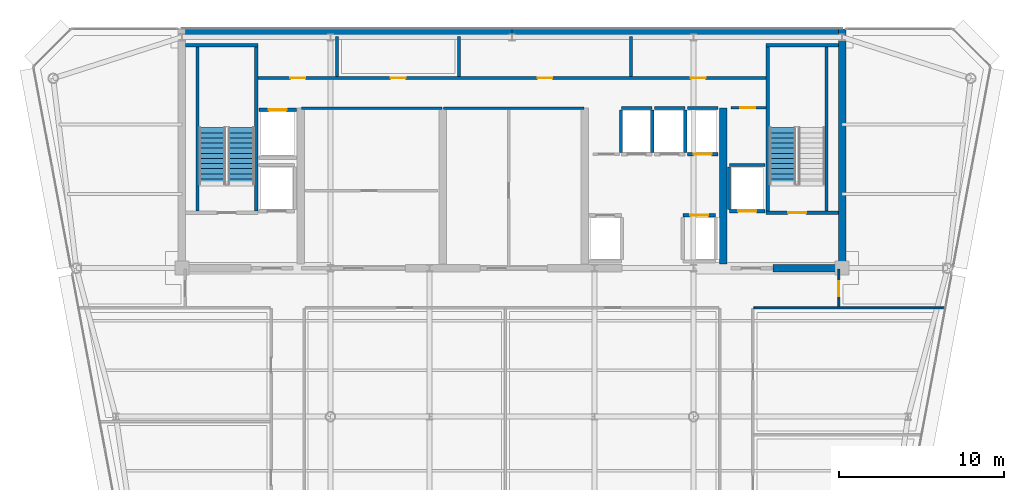
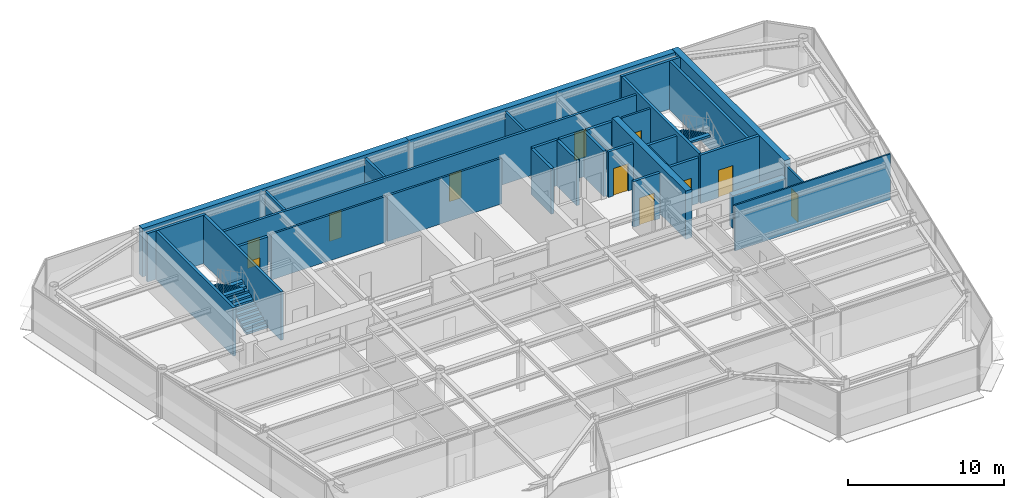
# One storey, part 12 of 20: 33 walls, 11 doors, 3 stair flights, 11 openings, 2 elements without a shape of their own.
"""IFC4 building model written with IfcOpenShell, lengths in metres."""

from ifc_helpers import new_model, si_unit, direction, frame, frame_2d, origin, place, context, subcontext, project, spatial, polyline, rectangle, outline, extrude, source, transform, mapped, material, layer, layer_set, type_object, element, fill, aggregate, save


model = new_model("IFC4")

# Units and contexts
model_context = context("Model", 3, precision=1e-05, world=origin(), true_north=direction((0.0, 1.0)))
body_context = subcontext(model_context, "Body", "Model", "MODEL_VIEW")
ifc_project = project(units=[si_unit("LENGTHUNIT", "METRE"), si_unit("AREAUNIT", "SQUARE_METRE"), si_unit("VOLUMEUNIT", "CUBIC_METRE"), si_unit("PLANEANGLEUNIT", "RADIAN"), si_unit("MASSUNIT", "GRAM", prefix="KILO")], contexts=[model_context])

# Site, building, storey
site_placement = place(None, origin())
site = spatial("IfcSite", under=ifc_project, at=site_placement, CompositionType="ELEMENT")
building_placement = place(site_placement, origin())
building = spatial("IfcBuilding", under=site, at=building_placement, Name="Vaeldorn Concourse Tower", CompositionType="ELEMENT")
storey_placement = place(building_placement, frame((0.0, 0.0, 284.0)))
storey = spatial("IfcBuildingStorey", under=building, at=storey_placement, Name="L73", CompositionType="ELEMENT", Elevation=284.0)

# Walls
ifc_material_1 = material(Name="Concrete C50/60", Category="concrete")
ifc_layer_1 = layer(ifc_material_1, 0.449951171875)
ifc_layer_set_1 = layer_set([ifc_layer_1], Name="Concrete C50/60")
wall_type_1 = type_object("IfcWallType", Name="WL-CORE-450", PredefinedType="SHEAR", material=ifc_layer_set_1)
for number, where, z_axis, x_axis, name in (
    (1, (14.22900390625, 50.77490234375, 0.0), (0.0, 0.0, 1.0), (1.0, 0.0, 0.0), "Rear Core Shear Wall L73 N1"),
    (2, (34.001953125, 50.77490234375, 0.0), (0.0, 0.0, 1.0), (1.0, 0.0, 0.0), "Rear Core Shear Wall L73 N2"),
):
    element("IfcWall", number, at=place(storey_placement, frame(where, z_axis=z_axis, x_axis=x_axis)), inside=storey, type_object=wall_type_1, Name=name, PredefinedType="SHEAR", context=body_context, shape_type="SweptSolid", body=[
        extrude(rectangle(XDim=19.76904296875, YDim=0.449951171875, at=frame_2d((9.884521484375, 0.0))), origin(), (0.0, 0.0, 1.0), 3.800048828125),
    ])
wall_1_placement = place(storey_placement, frame((54.0, 36.5, 0.0), z_axis=(0.0, 0.0, 1.0), x_axis=(0.0, 1.0, 0.0)))
element("IfcWall", 3, at=wall_1_placement, inside=storey, type_object=wall_type_1, Name="Rear Core Shear Wall L73 E1", PredefinedType="SHEAR", context=body_context, shape_type="SweptSolid", body=[
    extrude(rectangle(XDim=14.5, YDim=0.449951171875, at=frame_2d((7.25, 0.0))), origin(), (0.0, 0.0, 1.0), 3.800048828125),
])
wall_2_placement = place(storey_placement, frame((49.800048828125, 36.5, 0.0), z_axis=(0.0, 0.0, 1.0), x_axis=(1.0, 0.0, 0.0)))
element("IfcWall", 4, at=wall_2_placement, inside=storey, type_object=wall_type_1, Name="Rear Core Shear Wall L73 S4", PredefinedType="SHEAR", context=body_context, shape_type="SweptSolid", body=[
    extrude(rectangle(XDim=3.954833984375, YDim=0.449951171875, at=frame_2d((1.9775390625, 0.0))), origin(), (0.0, 0.0, 1.0), 2.580078125),
])
wall_3_placement = place(storey_placement, frame((46.800048828125, 36.7451171875, 0.0), z_axis=(0.0, 0.0, 1.0), x_axis=(0.0, 1.0, 0.0)))
element("IfcWall", 5, at=wall_3_placement, inside=storey, type_object=wall_type_1, Name="Rear Core Shear Wall L73 M4", PredefinedType="SHEAR", context=body_context, shape_type="SweptSolid", body=[
    extrude(rectangle(XDim=9.454833984375, YDim=0.449951171875, at=frame_2d((4.7275390625, 0.0))), origin(), (0.0, 0.0, 1.0), 3.800048828125),
])
ifc_material_2 = material(Name="Gypsum Board Partition", Category="gypsum")
ifc_layer_2 = layer(ifc_material_2, 0.1201171875)
ifc_layer_set_2 = layer_set([ifc_layer_2], Name="Gypsum Board Partition")
wall_type_2 = type_object("IfcWallType", Name="WL-PART-120", PredefinedType="PARTITIONING", material=ifc_layer_set_2)
wall_4_placement = place(storey_placement, frame((48.659912109375, 34.10009765625, 0.0), z_axis=(0.0, 0.0, 1.0), x_axis=(1.0, 0.0, 0.0)))
element("IfcWall", 6, at=wall_4_placement, inside=storey, type_object=wall_type_2, Name="Interior Wall PW-L73-CEWE", PredefinedType="PARTITIONING", context=body_context, shape_type="SweptSolid", body=[
    extrude(rectangle(XDim=11.563232421875, YDim=0.1201171875, at=frame_2d((5.78173828125, 0.0))), origin(), (0.0, 0.0, 1.0), 3.580078125),
])

# Wall, opening, door
wall_5_placement = place(storey_placement, frame((53.800048828125, 34.159912109375, 0.0), z_axis=(0.0, 0.0, 1.0), x_axis=(0.0, 1.0, 0.0)))
wall_5 = element("IfcWall", 7, at=wall_5_placement, inside=storey, type_object=wall_type_2, Name="Interior Wall PW-L73-CEET", PredefinedType="PARTITIONING", context=body_context, shape_type="SweptSolid", body=[
    extrude(rectangle(XDim=2.280029296875, YDim=0.1201171875, at=frame_2d((1.14013671875, 0.0))), origin(), (0.0, 0.0, 1.0), 3.580078125),
])
opening_1_placement = place(wall_5_placement, frame((0.64990234375, 0.0, 0.0)))
opening_1 = element("IfcOpeningElement", 8, at=opening_1_placement, cuts=wall_5, Name="Opening D-03", PredefinedType="OPENING", context=body_context, shape_type="SweptSolid", body=[
    extrude(rectangle(XDim=0.89990234375, YDim=2.14990234375, at=frame_2d((0.449951171875, 1.074951171875))), frame((0.0, 0.070068359375, 0.0), z_axis=(0.0, -1.0, 0.0), x_axis=(1.0, 0.0, 0.0)), (0.0, 0.0, 1.0), 0.14013671875),
])
ifc_material_3 = material(Name="Acoustic Bronze-Framed Glass Door", Category="glass")
door_type_1 = type_object("IfcDoorType", Name="DR-INT-900", OperationType="NOTDEFINED", PredefinedType="DOOR", material=ifc_material_3)
shared_shape_1 = source(origin(), body_context, "Body", "SweptSolid", [
    extrude(rectangle(XDim=0.89990234375, YDim=2.14990234375, at=frame_2d((0.449951171875, 1.074951171875))), frame((0.0, 0.02490234375, 0.0), z_axis=(0.0, -1.0, 0.0), x_axis=(1.0, 0.0, 0.0)), (0.0, 0.0, 1.0), 0.050048828125),
])
door_1_placement = place(opening_1_placement, origin())
door_1 = element("IfcDoor", 9, at=door_1_placement, inside=storey, type_object=door_type_1, Name="Interior Door DR-L73-NE1", OperationType="SINGLE_SWING_RIGHT", OverallHeight=2.14990234375, OverallWidth=0.89990234375, PredefinedType="DOOR", context=body_context, shape_type="MappedRepresentation", body=[
    mapped(shared_shape_1, transform((0.0, 0.0, 0.0), scale=1.0)),
])
fill(opening_1, door_1)

# Walls
ifc_layer_3 = layer(ifc_material_2, 0.14990234375)
ifc_layer_set_3 = layer_set([ifc_layer_3], Name="Gypsum Board Partition")
wall_type_3 = type_object("IfcWallType", Name="WL-PART-150", PredefinedType="PARTITIONING", material=ifc_layer_set_3)
for number, where, z_axis, x_axis, name in (
    (10, (21.25, 46.199951171875, 0.0), (0.0, 0.0, 1.0), (1.0, 0.0, 0.0), "Interior Wall CW-L73-R1N"),
    (11, (29.85009765625, 46.199951171875, 0.0), (0.0, 0.0, 1.0), (1.0, 0.0, 0.0), "Interior Wall CW-L73-R2N"),
):
    element("IfcWall", number, at=place(storey_placement, frame(where, z_axis=z_axis, x_axis=x_axis)), inside=storey, type_object=wall_type_3, Name=name, PredefinedType="PARTITIONING", context=body_context, shape_type="SweptSolid", body=[
        extrude(rectangle(XDim=8.5, YDim=0.14990234375, at=frame_2d((4.25, 0.0))), origin(), (0.0, 0.0, 1.0), 3.580078125),
    ])

# Wall, opening, door
wall_6_placement = place(storey_placement, frame((47.280029296875, 46.219970703125, 0.0), z_axis=(0.0, 0.0, 1.0), x_axis=(1.0, 0.0, 0.0)))
wall_6 = element("IfcWall", 12, at=wall_6_placement, inside=storey, type_object=wall_type_3, Name="Interior Wall CW-L73-CRSE-N", PredefinedType="PARTITIONING", context=body_context, shape_type="SweptSolid", body=[
    extrude(rectangle(XDim=2.099853515625, YDim=0.14990234375, at=frame_2d((1.0498046875, 0.0))), origin(), (0.0, 0.0, 1.0), 3.580078125),
])
opening_2_placement = place(wall_6_placement, frame((0.550048828125, 0.0, 0.0)))
opening_2 = element("IfcOpeningElement", 13, at=opening_2_placement, cuts=wall_6, Name="Opening D-02", PredefinedType="OPENING", context=body_context, shape_type="SweptSolid", body=[
    extrude(rectangle(XDim=0.89990234375, YDim=2.10009765625, at=frame_2d((0.449951171875, 1.050048828125))), frame((0.0, 0.0849609375, 0.0), z_axis=(0.0, -1.0, 0.0), x_axis=(1.0, 0.0, 0.0)), (0.0, 0.0, 1.0), 0.169921875),
])
ifc_material_4 = material(Name="Fire-Rated Timber Leaf", Category="wood")
door_type_2 = type_object("IfcDoorType", Name="DR-FD30-900", OperationType="NOTDEFINED", PredefinedType="DOOR", material=ifc_material_4)
shared_shape_2 = source(origin(), body_context, "Body", "SweptSolid", [
    extrude(rectangle(XDim=0.89990234375, YDim=2.10009765625, at=frame_2d((0.449951171875, 1.050048828125))), frame((0.0, 0.02490234375, 0.0), z_axis=(0.0, -1.0, 0.0), x_axis=(1.0, 0.0, 0.0)), (0.0, 0.0, 1.0), 0.050048828125),
])
door_2_placement = place(opening_2_placement, origin())
door_2 = element("IfcDoor", 14, at=door_2_placement, inside=storey, type_object=door_type_2, Name="Interior Door DR-L73-CRSE", OperationType="SINGLE_SWING_RIGHT", OverallHeight=2.10009765625, OverallWidth=0.89990234375, PredefinedType="DOOR", context=body_context, shape_type="MappedRepresentation", body=[
    mapped(shared_shape_2, transform((0.0, 0.0, 0.0), scale=1.0)),
])
fill(opening_2, door_2)

# Wall, openings, doors
ifc_layer_4 = layer(ifc_material_2, 0.179931640625)
ifc_layer_set_4 = layer_set([ifc_layer_4], Name="Gypsum Board Partition")
wall_type_4 = type_object("IfcWallType", Name="WL-PLUMB-180", PredefinedType="PLUMBINGWALL", material=ifc_layer_set_4)
wall_7_placement = place(storey_placement, frame((18.6201171875, 48.02001953125, 0.0), z_axis=(0.0, 0.0, 1.0), x_axis=(1.0, 0.0, 0.0)))
wall_7 = element("IfcWall", 15, at=wall_7_placement, inside=storey, type_object=wall_type_4, Name="Interior Wall CW-L73-NS0", PredefinedType="PLUMBINGWALL", context=body_context, shape_type="SweptSolid", body=[
    extrude(rectangle(XDim=30.759765625, YDim=0.179931640625, at=frame_2d((15.3798828125, 0.0))), origin(), (0.0, 0.0, 1.0), 3.580078125),
])
opening_3_placement = place(wall_7_placement, frame((1.955078125, 0.0, 0.0)))
opening_3 = element("IfcOpeningElement", 16, at=opening_3_placement, cuts=wall_7, Name="Opening D-03", PredefinedType="OPENING", context=body_context, shape_type="SweptSolid", body=[
    extrude(rectangle(XDim=0.89990234375, YDim=2.14990234375, at=frame_2d((0.449951171875, 1.074951171875))), frame((0.0, 0.10009765625, 0.0), z_axis=(0.0, -1.0, 0.0), x_axis=(1.0, 0.0, 0.0)), (0.0, 0.0, 1.0), 0.199951171875),
])
opening_4_placement = place(wall_7_placement, frame((8.030029296875, 0.0, 0.0)))
opening_4 = element("IfcOpeningElement", 17, at=opening_4_placement, cuts=wall_7, Name="Opening D-03", PredefinedType="OPENING", context=body_context, shape_type="SweptSolid", body=[
    extrude(rectangle(XDim=0.89990234375, YDim=2.14990234375, at=frame_2d((0.449951171875, 1.074951171875))), frame((0.0, 0.10009765625, 0.0), z_axis=(0.0, -1.0, 0.0), x_axis=(1.0, 0.0, 0.0)), (0.0, 0.0, 1.0), 0.199951171875),
])
opening_5_placement = place(wall_7_placement, frame((16.929931640625, 0.0, 0.0)))
opening_5 = element("IfcOpeningElement", 18, at=opening_5_placement, cuts=wall_7, Name="Opening D-03", PredefinedType="OPENING", context=body_context, shape_type="SweptSolid", body=[
    extrude(rectangle(XDim=0.89990234375, YDim=2.14990234375, at=frame_2d((0.449951171875, 1.074951171875))), frame((0.0, 0.10009765625, 0.0), z_axis=(0.0, -1.0, 0.0), x_axis=(1.0, 0.0, 0.0)), (0.0, 0.0, 1.0), 0.199951171875),
])
opening_6_placement = place(wall_7_placement, frame((26.205078125, 0.0, 0.0)))
opening_6 = element("IfcOpeningElement", 19, at=opening_6_placement, cuts=wall_7, Name="Opening D-03", PredefinedType="OPENING", context=body_context, shape_type="SweptSolid", body=[
    extrude(rectangle(XDim=0.89990234375, YDim=2.14990234375, at=frame_2d((0.449951171875, 1.074951171875))), frame((0.0, 0.10009765625, 0.0), z_axis=(0.0, -1.0, 0.0), x_axis=(1.0, 0.0, 0.0)), (0.0, 0.0, 1.0), 0.199951171875),
])
door_3_placement = place(opening_3_placement, origin())
door_3 = element("IfcDoor", 20, at=door_3_placement, inside=storey, type_object=door_type_1, Name="Interior Door DR-L73-CS1", OperationType="SINGLE_SWING_LEFT", OverallHeight=2.14990234375, OverallWidth=0.89990234375, PredefinedType="DOOR", context=body_context, shape_type="MappedRepresentation", body=[
    mapped(shared_shape_1, transform((0.0, 0.0, 0.0), scale=1.0)),
])
fill(opening_3, door_3)
door_4_placement = place(opening_4_placement, origin())
door_4 = element("IfcDoor", 21, at=door_4_placement, inside=storey, type_object=door_type_1, Name="Interior Door DR-L73-CS2", OperationType="SINGLE_SWING_RIGHT", OverallHeight=2.14990234375, OverallWidth=0.89990234375, PredefinedType="DOOR", context=body_context, shape_type="MappedRepresentation", body=[
    mapped(shared_shape_1, transform((0.0, 0.0, 0.0), scale=1.0)),
])
fill(opening_4, door_4)
door_5_placement = place(opening_5_placement, origin())
door_5 = element("IfcDoor", 22, at=door_5_placement, inside=storey, type_object=door_type_1, Name="Interior Door DR-L73-CS3", OperationType="SINGLE_SWING_LEFT", OverallHeight=2.14990234375, OverallWidth=0.89990234375, PredefinedType="DOOR", context=body_context, shape_type="MappedRepresentation", body=[
    mapped(shared_shape_1, transform((0.0, 0.0, 0.0), scale=1.0)),
])
fill(opening_5, door_5)
door_6_placement = place(opening_6_placement, origin())
door_6 = element("IfcDoor", 23, at=door_6_placement, inside=storey, type_object=door_type_1, Name="Interior Door DR-L73-CS4", OperationType="SINGLE_SWING_RIGHT", OverallHeight=2.14990234375, OverallWidth=0.89990234375, PredefinedType="DOOR", context=body_context, shape_type="MappedRepresentation", body=[
    mapped(shared_shape_1, transform((0.0, 0.0, 0.0), scale=1.0)),
])
fill(opening_6, door_6)

# Walls
for number, where, z_axis, x_axis, name in (
    (24, (23.39990234375, 48.10009765625, 0.0), (0.0, 0.0, 1.0), (0.0, 1.0, 0.0), "Interior Wall CW-L73-NDIV1"),
    (25, (30.800048828125, 48.10009765625, 0.0), (0.0, 0.0, 1.0), (0.0, 1.0, 0.0), "Interior Wall CW-L73-NDIV2"),
    (26, (41.199951171875, 48.10009765625, 0.0), (0.0, 0.0, 1.0), (0.0, 1.0, 0.0), "Interior Wall CW-L73-NDIV3"),
):
    element("IfcWall", number, at=place(storey_placement, frame(where, z_axis=z_axis, x_axis=x_axis)), inside=storey, type_object=wall_type_4, Name=name, PredefinedType="PLUMBINGWALL", context=body_context, shape_type="SweptSolid", body=[
        extrude(rectangle(XDim=2.429931640625, YDim=0.179931640625, at=frame_2d((1.21484375, 0.0))), origin(), (0.0, 0.0, 1.0), 3.580078125),
    ])
ifc_layer_5 = layer(ifc_material_1, 0.199951171875)
ifc_layer_set_5 = layer_set([ifc_layer_5], Name="Concrete C50/60")
wall_type_5 = type_object("IfcWallType", Name="WL-SHAFT-200", PredefinedType="SOLIDWALL", material=ifc_layer_set_5)
wall_8_placement = place(storey_placement, frame((14.22509765625, 50.0, 0.0), z_axis=(0.0, 0.0, 1.0), x_axis=(1.0, 0.0, 0.0)))
element("IfcWall", 27, at=wall_8_placement, inside=storey, type_object=wall_type_5, Name="Stair Shaft Wall CW-L73-ST-1-N", PredefinedType="SOLIDWALL", context=body_context, shape_type="SweptSolid", body=[
    extrude(rectangle(XDim=4.375, YDim=0.199951171875, at=frame_2d((2.1875, 0.0))), origin(), (0.0, 0.0, 1.0), 3.800048828125),
])
for number, where, z_axis, x_axis, name in (
    (28, (14.949951171875, 39.9599609375, 0.0), (0.0, 0.0, 1.0), (0.0, 1.0, 0.0), "Stair Shaft Wall CW-L73-ST-1-W"),
    (29, (18.5, 39.9599609375, 0.0), (0.0, 0.0, 1.0), (0.0, 1.0, 0.0), "Stair Shaft Wall CW-L73-ST-1-E"),
):
    element("IfcWall", number, at=place(storey_placement, frame(where, z_axis=z_axis, x_axis=x_axis)), inside=storey, type_object=wall_type_5, Name=name, PredefinedType="SOLIDWALL", context=body_context, shape_type="SweptSolid", body=[
        extrude(rectangle(XDim=9.929931640625, YDim=0.199951171875, at=frame_2d((4.96484375, 0.0))), origin(), (0.0, 0.0, 1.0), 3.800048828125),
    ])

# Wall, opening, door
wall_9_placement = place(storey_placement, frame((49.39990234375, 39.85009765625, 0.0), z_axis=(0.0, 0.0, 1.0), x_axis=(1.0, 0.0, 0.0)))
wall_9 = element("IfcWall", 30, at=wall_9_placement, inside=storey, type_object=wall_type_5, Name="Stair Shaft Wall CW-L73-ST-2-S", PredefinedType="SOLIDWALL", context=body_context, shape_type="SweptSolid", body=[
    extrude(rectangle(XDim=4.375, YDim=0.199951171875, at=frame_2d((2.1875, 0.0))), origin(), (0.0, 0.0, 1.0), 3.800048828125),
])
opening_7_placement = place(wall_9_placement, frame((1.324951171875, 0.0, 0.0)))
opening_7 = element("IfcOpeningElement", 31, at=opening_7_placement, cuts=wall_9, Name="Opening D-01", PredefinedType="OPENING", context=body_context, shape_type="SweptSolid", body=[
    extrude(rectangle(XDim=1.10009765625, YDim=2.14990234375, at=frame_2d((0.550048828125, 1.074951171875))), frame((0.0, 0.10986328125, 0.0), z_axis=(0.0, -1.0, 0.0), x_axis=(1.0, 0.0, 0.0)), (0.0, 0.0, 1.0), 0.219970703125),
])
ifc_material_5 = material(Name="Fire-Rated Timber and Steel Leaf", Category="steel")
door_type_3 = type_object("IfcDoorType", Name="DR-FD60-1100", OperationType="NOTDEFINED", PredefinedType="DOOR", material=ifc_material_5)
shared_shape_3 = source(origin(), body_context, "Body", "SweptSolid", [
    extrude(rectangle(XDim=1.10009765625, YDim=2.14990234375, at=frame_2d((0.550048828125, 1.074951171875))), frame((0.0, 0.02490234375, 0.0), z_axis=(0.0, -1.0, 0.0), x_axis=(1.0, 0.0, 0.0)), (0.0, 0.0, 1.0), 0.050048828125),
])
door_7_placement = place(opening_7_placement, origin())
door_7 = element("IfcDoor", 32, at=door_7_placement, inside=storey, type_object=door_type_3, Name="Interior Door DR-L73-ST-2", OperationType="SINGLE_SWING_RIGHT", OverallHeight=2.14990234375, OverallWidth=1.10009765625, PredefinedType="DOOR", context=body_context, shape_type="MappedRepresentation", body=[
    mapped(shared_shape_3, transform((0.0, 0.0, 0.0), scale=1.0)),
])
fill(opening_7, door_7)

# Walls
wall_10_placement = place(storey_placement, frame((49.39990234375, 50.0, 0.0), z_axis=(0.0, 0.0, 1.0), x_axis=(1.0, 0.0, 0.0)))
element("IfcWall", 33, at=wall_10_placement, inside=storey, type_object=wall_type_5, Name="Stair Shaft Wall CW-L73-ST-2-N", PredefinedType="SOLIDWALL", context=body_context, shape_type="SweptSolid", body=[
    extrude(rectangle(XDim=4.375, YDim=0.199951171875, at=frame_2d((2.1875, 0.0))), origin(), (0.0, 0.0, 1.0), 3.800048828125),
])
for number, where, z_axis, x_axis, name in (
    (34, (49.5, 39.9599609375, 0.0), (0.0, 0.0, 1.0), (0.0, 1.0, 0.0), "Stair Shaft Wall CW-L73-ST-2-W"),
    (35, (53.050048828125, 39.9599609375, 0.0), (0.0, 0.0, 1.0), (0.0, 1.0, 0.0), "Stair Shaft Wall CW-L73-ST-2-E"),
):
    element("IfcWall", number, at=place(storey_placement, frame(where, z_axis=z_axis, x_axis=x_axis)), inside=storey, type_object=wall_type_5, Name=name, PredefinedType="SOLIDWALL", context=body_context, shape_type="SweptSolid", body=[
        extrude(rectangle(XDim=9.929931640625, YDim=0.199951171875, at=frame_2d((4.96484375, 0.0))), origin(), (0.0, 0.0, 1.0), 3.800048828125),
    ])

# Wall, opening, door
wall_11_placement = place(storey_placement, frame((44.3701171875, 39.699951171875, 0.0), z_axis=(0.0, 0.0, 1.0), x_axis=(1.0, 0.0, 0.0)))
wall_11 = element("IfcWall", 36, at=wall_11_placement, inside=storey, type_object=wall_type_5, Name="Interior Wall CW-L73-LF-LF-14", PredefinedType="SOLIDWALL", context=body_context, shape_type="SweptSolid", body=[
    extrude(rectangle(XDim=1.9599609375, YDim=0.199951171875, at=frame_2d((0.97998046875, 0.0))), origin(), (0.0, 0.0, 1.0), 3.580078125),
])
opening_8_placement = place(wall_11_placement, frame((0.429931640625, 0.0, 0.0)))
opening_8 = element("IfcOpeningElement", 37, at=opening_8_placement, cuts=wall_11, Name="Opening LD-1", PredefinedType="OPENING", context=body_context, shape_type="SweptSolid", body=[
    extrude(rectangle(XDim=1.10009765625, YDim=2.14990234375, at=frame_2d((0.550048828125, 1.074951171875))), frame((0.0, 0.10986328125, 0.0), z_axis=(0.0, -1.0, 0.0), x_axis=(1.0, 0.0, 0.0)), (0.0, 0.0, 1.0), 0.219970703125),
])
ifc_material_6 = material(Name="Anodised Bronze Aluminium", Category="aluminium")
door_type_4 = type_object("IfcDoorType", Name="DR-LIFT-SLIDE-1100", OperationType="DOUBLE_DOOR_SLIDING", PredefinedType="DOOR", material=ifc_material_6)
door_8_placement = place(opening_8_placement, origin())
door_8 = element("IfcDoor", 38, at=door_8_placement, inside=storey, type_object=door_type_4, Name="Lift Landing Door LD-L73-LF-14", OperationType="DOUBLE_DOOR_SLIDING", OverallHeight=2.14990234375, OverallWidth=1.10009765625, PredefinedType="DOOR", context=body_context, shape_type="MappedRepresentation", body=[
    mapped(shared_shape_3, transform((0.0, 0.0, 0.0), scale=1.0)),
])
fill(opening_8, door_8)

# Walls
wall_12_placement = place(storey_placement, frame((40.6201171875, 46.199951171875, 0.0), z_axis=(0.0, 0.0, 1.0), x_axis=(1.0, 0.0, 0.0)))
element("IfcWall", 39, at=wall_12_placement, inside=storey, type_object=wall_type_5, Name="Interior Wall CW-L73-LFB-LF-15", PredefinedType="SOLIDWALL", context=body_context, shape_type="SweptSolid", body=[
    extrude(rectangle(XDim=1.85986328125, YDim=0.199951171875, at=frame_2d((0.929931640625, 0.0))), origin(), (0.0, 0.0, 1.0), 3.580078125),
])
for number, where, z_axis, x_axis, name in (
    (40, (40.60009765625, 43.52001953125, 0.0), (0.0, 0.0, 1.0), (0.0, 1.0, 0.0), "Interior Wall CW-L73-LFW-LF-15"),
    (41, (42.5, 43.52001953125, 0.0), (0.0, 0.0, 1.0), (0.0, 1.0, 0.0), "Interior Wall CW-L73-LFE-LF-15"),
):
    element("IfcWall", number, at=place(storey_placement, frame(where, z_axis=z_axis, x_axis=x_axis)), inside=storey, type_object=wall_type_5, Name=name, PredefinedType="SOLIDWALL", context=body_context, shape_type="SweptSolid", body=[
        extrude(rectangle(XDim=2.56005859375, YDim=0.199951171875, at=frame_2d((1.280029296875, 0.0))), origin(), (0.0, 0.0, 1.0), 3.580078125),
    ])
wall_13_placement = place(storey_placement, frame((42.6201171875, 46.199951171875, 0.0), z_axis=(0.0, 0.0, 1.0), x_axis=(1.0, 0.0, 0.0)))
element("IfcWall", 42, at=wall_13_placement, inside=storey, type_object=wall_type_5, Name="Interior Wall CW-L73-LFB-LF-16", PredefinedType="SOLIDWALL", context=body_context, shape_type="SweptSolid", body=[
    extrude(rectangle(XDim=1.85986328125, YDim=0.199951171875, at=frame_2d((0.929931640625, 0.0))), origin(), (0.0, 0.0, 1.0), 3.580078125),
])
wall_14_placement = place(storey_placement, frame((44.5, 43.52001953125, 0.0), z_axis=(0.0, 0.0, 1.0), x_axis=(0.0, 1.0, 0.0)))
element("IfcWall", 43, at=wall_14_placement, inside=storey, type_object=wall_type_5, Name="Interior Wall CW-L73-LFE-LF-16", PredefinedType="SOLIDWALL", context=body_context, shape_type="SweptSolid", body=[
    extrude(rectangle(XDim=2.56005859375, YDim=0.199951171875, at=frame_2d((1.280029296875, 0.0))), origin(), (0.0, 0.0, 1.0), 3.580078125),
])

# Wall, opening, door
wall_15_placement = place(storey_placement, frame((44.6201171875, 43.39990234375, 0.0), z_axis=(0.0, 0.0, 1.0), x_axis=(1.0, 0.0, 0.0)))
wall_15 = element("IfcWall", 44, at=wall_15_placement, inside=storey, type_object=wall_type_5, Name="Interior Wall CW-L73-LF-LF-17", PredefinedType="SOLIDWALL", context=body_context, shape_type="SweptSolid", body=[
    extrude(rectangle(XDim=1.85986328125, YDim=0.199951171875, at=frame_2d((0.929931640625, 0.0))), origin(), (0.0, 0.0, 1.0), 3.580078125),
])
opening_9_placement = place(wall_15_placement, frame((0.3798828125, 0.0, 0.0)))
opening_9 = element("IfcOpeningElement", 45, at=opening_9_placement, cuts=wall_15, Name="Opening LD-1", PredefinedType="OPENING", context=body_context, shape_type="SweptSolid", body=[
    extrude(rectangle(XDim=1.10009765625, YDim=2.14990234375, at=frame_2d((0.550048828125, 1.074951171875))), frame((0.0, 0.10986328125, 0.0), z_axis=(0.0, -1.0, 0.0), x_axis=(1.0, 0.0, 0.0)), (0.0, 0.0, 1.0), 0.219970703125),
])
door_9_placement = place(opening_9_placement, origin())
door_9 = element("IfcDoor", 46, at=door_9_placement, inside=storey, type_object=door_type_4, Name="Lift Landing Door LD-L73-LF-17", OperationType="DOUBLE_DOOR_SLIDING", OverallHeight=2.14990234375, OverallWidth=1.10009765625, PredefinedType="DOOR", context=body_context, shape_type="MappedRepresentation", body=[
    mapped(shared_shape_3, transform((0.0, 0.0, 0.0), scale=1.0)),
])
fill(opening_9, door_9)

# Wall
wall_16_placement = place(storey_placement, frame((44.6201171875, 46.199951171875, 0.0), z_axis=(0.0, 0.0, 1.0), x_axis=(1.0, 0.0, 0.0)))
element("IfcWall", 47, at=wall_16_placement, inside=storey, type_object=wall_type_5, Name="Interior Wall CW-L73-LFB-LF-17", PredefinedType="SOLIDWALL", context=body_context, shape_type="SweptSolid", body=[
    extrude(rectangle(XDim=1.85986328125, YDim=0.199951171875, at=frame_2d((0.929931640625, 0.0))), origin(), (0.0, 0.0, 1.0), 3.580078125),
])

# Wall, opening, door
wall_17_placement = place(storey_placement, frame((18.669921875, 46.10009765625, 0.0), z_axis=(0.0, 0.0, 1.0), x_axis=(1.0, 0.0, 0.0)))
wall_17 = element("IfcWall", 48, at=wall_17_placement, inside=storey, type_object=wall_type_5, Name="Interior Wall CW-L73-LF-LF-SV1", PredefinedType="SOLIDWALL", context=body_context, shape_type="SweptSolid", body=[
    extrude(rectangle(XDim=2.260009765625, YDim=0.199951171875, at=frame_2d((1.1298828125, 0.0))), origin(), (0.0, 0.0, 1.0), 3.580078125),
])
opening_10_placement = place(wall_17_placement, frame((0.580078125, 0.0, 0.0)))
opening_10 = element("IfcOpeningElement", 49, at=opening_10_placement, cuts=wall_17, Name="Opening LD-1", PredefinedType="OPENING", context=body_context, shape_type="SweptSolid", body=[
    extrude(rectangle(XDim=1.10009765625, YDim=2.14990234375, at=frame_2d((0.550048828125, 1.074951171875))), frame((0.0, 0.10986328125, 0.0), z_axis=(0.0, -1.0, 0.0), x_axis=(1.0, 0.0, 0.0)), (0.0, 0.0, 1.0), 0.219970703125),
])
door_10_placement = place(opening_10_placement, origin())
door_10 = element("IfcDoor", 50, at=door_10_placement, inside=storey, type_object=door_type_4, Name="Lift Landing Door LD-L73-LF-SV1", OperationType="DOUBLE_DOOR_SLIDING", OverallHeight=2.14990234375, OverallWidth=1.10009765625, PredefinedType="DOOR", context=body_context, shape_type="MappedRepresentation", body=[
    mapped(shared_shape_3, transform((0.0, 0.0, 0.0), scale=1.0)),
])
fill(opening_10, door_10)

wall_18_placement = place(storey_placement, frame((47.169921875, 39.949951171875, 0.0), z_axis=(0.0, 0.0, 1.0), x_axis=(1.0, 0.0, 0.0)))
wall_18 = element("IfcWall", 51, at=wall_18_placement, inside=storey, type_object=wall_type_5, Name="Interior Wall CW-L73-LF-LF-FF2", PredefinedType="SOLIDWALL", context=body_context, shape_type="SweptSolid", body=[
    extrude(rectangle(XDim=2.16015625, YDim=0.199951171875, at=frame_2d((1.080078125, 0.0))), origin(), (0.0, 0.0, 1.0), 3.580078125),
])
opening_11_placement = place(wall_18_placement, frame((0.530029296875, 0.0, 0.0)))
opening_11 = element("IfcOpeningElement", 52, at=opening_11_placement, cuts=wall_18, Name="Opening LD-1", PredefinedType="OPENING", context=body_context, shape_type="SweptSolid", body=[
    extrude(rectangle(XDim=1.10009765625, YDim=2.14990234375, at=frame_2d((0.550048828125, 1.074951171875))), frame((0.0, 0.10986328125, 0.0), z_axis=(0.0, -1.0, 0.0), x_axis=(1.0, 0.0, 0.0)), (0.0, 0.0, 1.0), 0.219970703125),
])
door_11_placement = place(opening_11_placement, origin())
door_11 = element("IfcDoor", 53, at=door_11_placement, inside=storey, type_object=door_type_4, Name="Lift Landing Door LD-L73-LF-FF2", OperationType="DOUBLE_DOOR_SLIDING", OverallHeight=2.14990234375, OverallWidth=1.10009765625, PredefinedType="DOOR", context=body_context, shape_type="MappedRepresentation", body=[
    mapped(shared_shape_3, transform((0.0, 0.0, 0.0), scale=1.0)),
])
fill(opening_11, door_11)

# Walls
wall_19_placement = place(storey_placement, frame((47.169921875, 42.75, 0.0), z_axis=(0.0, 0.0, 1.0), x_axis=(1.0, 0.0, 0.0)))
element("IfcWall", 54, at=wall_19_placement, inside=storey, type_object=wall_type_5, Name="Interior Wall CW-L73-LFB-LF-FF2", PredefinedType="SOLIDWALL", context=body_context, shape_type="SweptSolid", body=[
    extrude(rectangle(XDim=2.16015625, YDim=0.199951171875, at=frame_2d((1.080078125, 0.0))), origin(), (0.0, 0.0, 1.0), 3.580078125),
])
wall_20_placement = place(storey_placement, frame((47.14990234375, 40.070068359375, 0.0), z_axis=(0.0, 0.0, 1.0), x_axis=(0.0, 1.0, 0.0)))
element("IfcWall", 55, at=wall_20_placement, inside=storey, type_object=wall_type_5, Name="Interior Wall CW-L73-LFW-LF-FF2", PredefinedType="SOLIDWALL", context=body_context, shape_type="SweptSolid", body=[
    extrude(rectangle(XDim=2.559814453125, YDim=0.199951171875, at=frame_2d((1.27978515625, 0.0))), origin(), (0.0, 0.0, 1.0), 3.580078125),
])

# Stair, stair flights
ifc_material_7 = material(Name="Precast concrete C40/50", Category="concrete")
stair_type = type_object("IfcStairType", Name="STR-DOG-24x158", PredefinedType="HALF_TURN_STAIR", material=ifc_material_7)
stair_1_placement = place(storey_placement, origin())
stair_1 = element("IfcStair", 56, at=stair_1_placement, inside=storey, type_object=stair_type, Name="L73 West Core Exit Stair ST-1", PredefinedType="HALF_TURN_STAIR")
stair_flight_type = type_object("IfcStairFlightType", Name="STF-STR-12x158", PredefinedType="STRAIGHT", material=ifc_material_7)
stair_flight_1_placement = place(storey_placement, frame((17.60009765625, 41.60009765625, 0.0), z_axis=(0.0, 0.0, 1.0), x_axis=(0.0, 1.0, 0.0)))
stair_flight_1 = element("IfcStairFlight", 57, at=stair_flight_1_placement, type_object=stair_flight_type, Name="ST-1 flight 1", NumberOfRisers=12, NumberOfTreads=11, PredefinedType="STRAIGHT", RiserHeight=0.158333333, TreadLength=0.31, context=body_context, shape_type="SweptSolid", body=[
    extrude(outline(polyline([(0.0, 0.0), (0.0, 0.158447265625), (0.31005859375, 0.158447265625), (0.31005859375, 0.316650390625), (0.6201171875, 0.316650390625), (0.6201171875, 0.47509765625), (0.929931640625, 0.47509765625), (0.929931640625, 0.63330078125), (1.239990234375, 0.63330078125), (1.239990234375, 0.791748046875), (1.550048828125, 0.791748046875), (1.550048828125, 0.949951171875), (1.860107421875, 0.949951171875), (1.860107421875, 1.1083984375), (2.169921875, 1.1083984375), (2.169921875, 1.2666015625), (2.47998046875, 1.2666015625), (2.47998046875, 1.425048828125), (2.7900390625, 1.425048828125), (2.7900390625, 1.583251953125), (3.10009765625, 1.583251953125), (3.10009765625, 1.74169921875), (3.409912109375, 1.74169921875), (3.409912109375, 1.89990234375), (3.409912109375, 1.5732421875), (0.32958984375, 0.0), (0.0, 0.0)])), frame((0.0, 0.800048828125, 0.0), z_axis=(0.0, -1.0, 0.0), x_axis=(1.0, 0.0, 0.0)), (0.0, 0.0, 1.0), 1.60009765625),
])
stair_flight_2_placement = place(storey_placement, frame((15.85009765625, 45.010009765625, 1.89990234375), z_axis=(0.0, 0.0, 1.0), x_axis=(0.0, -1.0, 0.0)))
stair_flight_2 = element("IfcStairFlight", 58, at=stair_flight_2_placement, type_object=stair_flight_type, Name="ST-1 flight 2", NumberOfRisers=12, NumberOfTreads=11, PredefinedType="STRAIGHT", RiserHeight=0.158333333, TreadLength=0.31, context=body_context, shape_type="SweptSolid", body=[
    extrude(outline(polyline([(0.0, 0.0), (0.0, 0.158447265625), (0.31005859375, 0.158447265625), (0.31005859375, 0.316650390625), (0.6201171875, 0.316650390625), (0.6201171875, 0.47509765625), (0.929931640625, 0.47509765625), (0.929931640625, 0.63330078125), (1.239990234375, 0.63330078125), (1.239990234375, 0.791748046875), (1.550048828125, 0.791748046875), (1.550048828125, 0.949951171875), (1.860107421875, 0.949951171875), (1.860107421875, 1.1083984375), (2.169921875, 1.1083984375), (2.169921875, 1.2666015625), (2.47998046875, 1.2666015625), (2.47998046875, 1.425048828125), (2.7900390625, 1.425048828125), (2.7900390625, 1.583251953125), (3.10009765625, 1.583251953125), (3.10009765625, 1.74169921875), (3.409912109375, 1.74169921875), (3.409912109375, 1.89990234375), (3.409912109375, 1.5732421875), (0.32958984375, 0.0), (0.0, 0.0)])), frame((0.0, 0.800048828125, 0.0), z_axis=(0.0, -1.0, 0.0), x_axis=(1.0, 0.0, 0.0)), (0.0, 0.0, 1.0), 1.60009765625),
])
aggregate(stair_1, [stair_flight_1, stair_flight_2])

# Stair, stair flight
stair_2_placement = place(storey_placement, origin())
stair_2 = element("IfcStair", 59, at=stair_2_placement, inside=storey, type_object=stair_type, Name="L73 East Core Exit Stair ST-2", PredefinedType="HALF_TURN_STAIR")
stair_flight_3_placement = place(storey_placement, frame((50.39990234375, 45.010009765625, 1.89990234375), z_axis=(0.0, 0.0, 1.0), x_axis=(0.0, -1.0, 0.0)))
stair_flight_3 = element("IfcStairFlight", 60, at=stair_flight_3_placement, type_object=stair_flight_type, Name="ST-2 flight 2", NumberOfRisers=12, NumberOfTreads=11, PredefinedType="STRAIGHT", RiserHeight=0.158333333, TreadLength=0.31, context=body_context, shape_type="SweptSolid", body=[
    extrude(outline(polyline([(0.0, 0.0), (0.0, 0.158447265625), (0.31005859375, 0.158447265625), (0.31005859375, 0.316650390625), (0.6201171875, 0.316650390625), (0.6201171875, 0.47509765625), (0.929931640625, 0.47509765625), (0.929931640625, 0.63330078125), (1.239990234375, 0.63330078125), (1.239990234375, 0.791748046875), (1.550048828125, 0.791748046875), (1.550048828125, 0.949951171875), (1.860107421875, 0.949951171875), (1.860107421875, 1.1083984375), (2.169921875, 1.1083984375), (2.169921875, 1.2666015625), (2.47998046875, 1.2666015625), (2.47998046875, 1.425048828125), (2.7900390625, 1.425048828125), (2.7900390625, 1.583251953125), (3.10009765625, 1.583251953125), (3.10009765625, 1.74169921875), (3.409912109375, 1.74169921875), (3.409912109375, 1.89990234375), (3.409912109375, 1.5732421875), (0.32958984375, 0.0), (0.0, 0.0)])), frame((0.0, 0.800048828125, 0.0), z_axis=(0.0, -1.0, 0.0), x_axis=(1.0, 0.0, 0.0)), (0.0, 0.0, 1.0), 1.60009765625),
])
aggregate(stair_2, [stair_flight_3])

save(model, "model.ifc")
